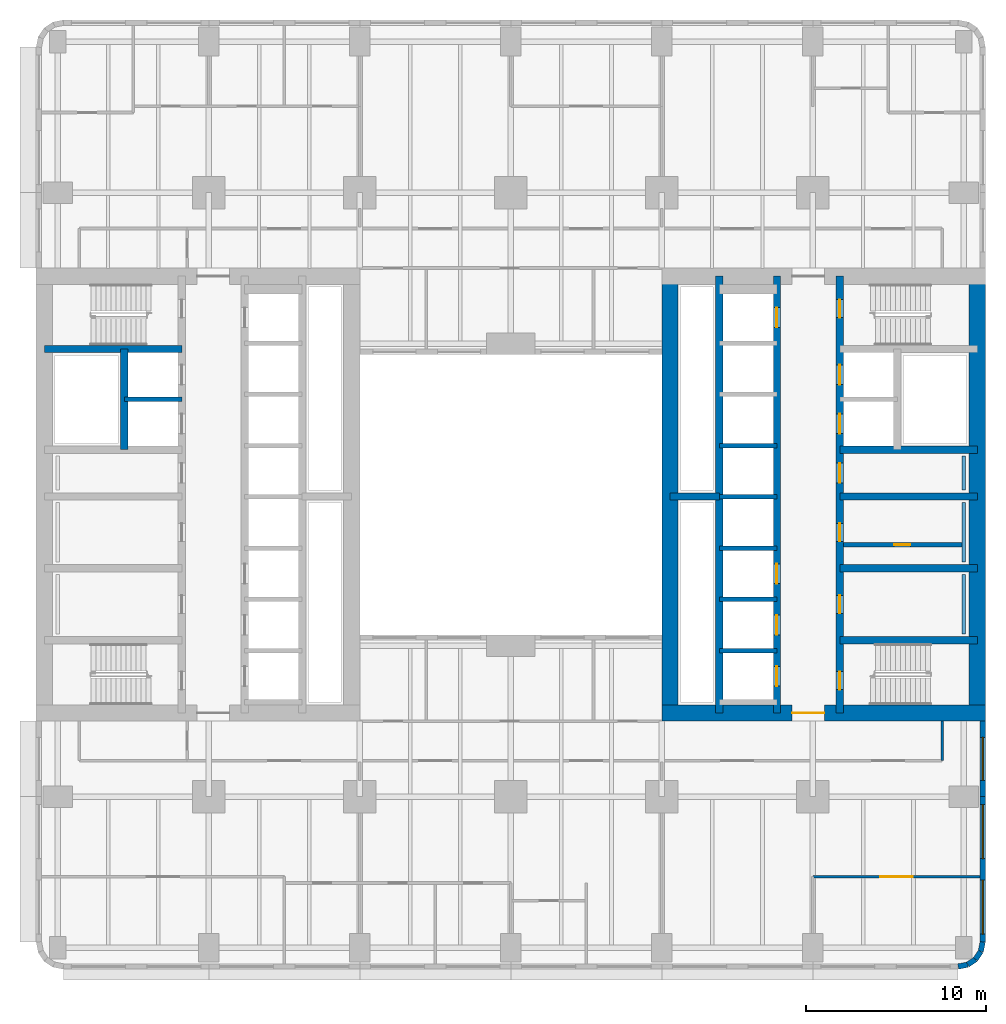
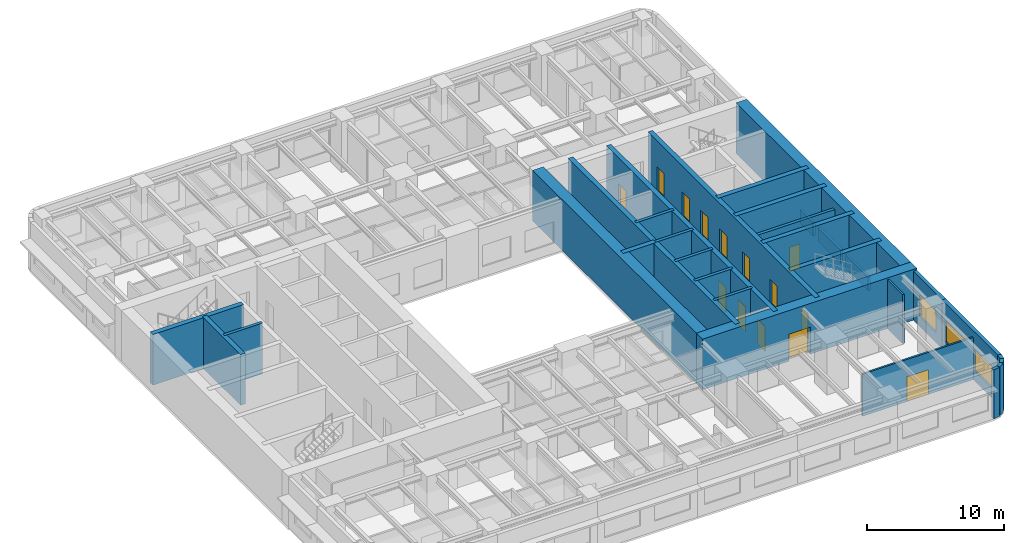
# One storey, part 5 of 12: 31 walls, 14 doors, 3 windows, 17 openings.
"""IFC4 building model written with IfcOpenShell, lengths in metres."""

from ifc_helpers import new_model, si_unit, direction, frame, frame_2d, origin, place, context, subcontext, project, spatial, rectangle, extrude, material, layer, layer_set, type_object, element, fill, save


model = new_model("IFC4")

# Units and contexts
model_context = context("Model", 3, precision=1e-05, world=origin(), true_north=direction((0.0, 1.0)))
body_context = subcontext(model_context, "Body", "Model", "MODEL_VIEW")
ifc_project = project(units=[si_unit("LENGTHUNIT", "METRE"), si_unit("AREAUNIT", "SQUARE_METRE"), si_unit("VOLUMEUNIT", "CUBIC_METRE"), si_unit("PLANEANGLEUNIT", "RADIAN"), si_unit("MASSUNIT", "GRAM", prefix="KILO")], contexts=[model_context])

# Site, building, storey
site_placement = place(None, origin())
site = spatial("IfcSite", under=ifc_project, at=site_placement, CompositionType="ELEMENT")
building_placement = place(site_placement, origin())
building = spatial("IfcBuilding", under=site, at=building_placement, Name="Claustro Exchange Tower", CompositionType="ELEMENT")
storey_placement = place(building_placement, frame((0.0, 0.0, 81.89990234375)))
storey = spatial("IfcBuildingStorey", under=building, at=storey_placement, Name="L18", CompositionType="ELEMENT", Elevation=81.89990234375)

# Wall, opening, door
ifc_material_1 = material(Name="Gypsum board on steel studs", Category="steel")
ifc_layer_1 = layer(ifc_material_1, 0.14990234375)
ifc_layer_set_1 = layer_set([ifc_layer_1], Name="Gypsum board on steel studs")
wall_type_1 = type_object("IfcWallType", Name="P1 150 plasterboard partition", PredefinedType="PARTITIONING", material=ifc_layer_set_1)
wall_1_placement = place(storey_placement, frame((42.0, 3.949951171875, 0.0), z_axis=(0.0, 0.0, 1.0), x_axis=(1.0, 0.0, 0.0)))
wall_1 = element("IfcWall", 1, at=wall_1_placement, inside=storey, type_object=wall_type_1, Name="Partition P1 L18", PredefinedType="PARTITIONING", context=body_context, shape_type="SweptSolid", body=[
    extrude(rectangle(XDim=9.302001953125, YDim=0.14990234375, at=frame_2d((4.65087890625, 0.0))), origin(), (0.0, 0.0, 1.0), 3.739990234375),
])
opening_1_placement = place(wall_1_placement, frame((3.75, 0.0, 0.0)))
opening_1 = element("IfcOpeningElement", 2, at=opening_1_placement, cuts=wall_1, Name="Opening D2", PredefinedType="OPENING", context=body_context, shape_type="SweptSolid", body=[
    extrude(rectangle(XDim=1.800048828125, YDim=2.199951171875, at=frame_2d((0.89990234375, 1.10009765625))), frame((0.0, 0.0849609375, 0.0), z_axis=(0.0, -1.0, 0.0), x_axis=(1.0, 0.0, 0.0)), (0.0, 0.0, 1.0), 0.169921875),
])
ifc_material_2 = material(Name="Timber door, oak veneer", Category="wood")
door_type_1 = type_object("IfcDoorType", Name="D2 1800 x 2200 double door", OperationType="DOUBLE_DOOR_SINGLE_SWING", PredefinedType="DOOR", material=ifc_material_2)
door_1_placement = place(opening_1_placement, frame((1.800048828125, 0.0, 0.0), z_axis=(0.0, 0.0, 1.0), x_axis=(-1.0, 0.0, 0.0)))
door_1 = element("IfcDoor", 3, at=door_1_placement, inside=storey, type_object=door_type_1, Name="Double door D2 L18", OperationType="DOUBLE_DOOR_SINGLE_SWING", OverallHeight=2.199951171875, OverallWidth=1.800048828125, PredefinedType="DOOR", context=body_context, shape_type="SweptSolid", body=[
    extrude(rectangle(XDim=1.800048828125, YDim=2.199951171875, at=frame_2d((0.89990234375, 1.10009765625))), frame((0.0, 0.02490234375, 0.0), z_axis=(0.0, -1.0, 0.0), x_axis=(1.0, 0.0, 0.0)), (0.0, 0.0, 1.0), 0.050048828125),
])
fill(opening_1, door_1)

# Wall
wall_2_placement = place(storey_placement, frame((49.199951171875, 10.39990234375, 0.0), z_axis=(0.0, 0.0, 1.0), x_axis=(0.0, 1.0, 0.0)))
element("IfcWall", 4, at=wall_2_placement, inside=storey, type_object=wall_type_1, Name="Partition P1 L18", PredefinedType="PARTITIONING", context=body_context, shape_type="SweptSolid", body=[
    extrude(rectangle(XDim=2.2021484375, YDim=0.14990234375, at=frame_2d((1.10107421875, 0.0))), origin(), (0.0, 0.0, 1.0), 4.340087890625),
])

# Wall, opening, door
ifc_material_3 = material(Name="Concrete blockwork, rendered", Category="masonry")
ifc_layer_2 = layer(ifc_material_3, 0.25)
ifc_layer_set_2 = layer_set([ifc_layer_2], Name="Concrete blockwork, rendered")
wall_type_2 = type_object("IfcWallType", Name="P4 250 blockwork wall", PredefinedType="PARTITIONING", material=ifc_layer_set_2)
wall_3_placement = place(storey_placement, frame((43.699951171875, 22.39990234375, 0.0), z_axis=(0.0, 0.0, 1.0), x_axis=(1.0, 0.0, 0.0)))
wall_3 = element("IfcWall", 5, at=wall_3_placement, inside=storey, type_object=wall_type_2, Name="Partition P4 L18", PredefinedType="PARTITIONING", context=body_context, shape_type="SweptSolid", body=[
    extrude(rectangle(XDim=6.60009765625, YDim=0.25, at=frame_2d((3.300048828125, 0.0))), origin(), (0.0, 0.0, 1.0), 4.300048828125),
])
opening_2_placement = place(wall_3_placement, frame((2.824951171875, 0.0, 0.0)))
opening_2 = element("IfcOpeningElement", 6, at=opening_2_placement, cuts=wall_3, Name="Opening D5", PredefinedType="OPENING", context=body_context, shape_type="SweptSolid", body=[
    extrude(rectangle(XDim=0.89990234375, YDim=2.199951171875, at=frame_2d((0.449951171875, 1.10009765625))), frame((0.0, 0.135009765625, 0.0), z_axis=(0.0, -1.0, 0.0), x_axis=(1.0, 0.0, 0.0)), (0.0, 0.0, 1.0), 0.27001953125),
])
ifc_material_4 = material(Name="Steel door, painted", Category="steel")
door_type_2 = type_object("IfcDoorType", Name="D5 900 x 2200 store door", OperationType="SINGLE_SWING_LEFT", PredefinedType="DOOR", material=ifc_material_4)
door_2_placement = place(opening_2_placement, frame((0.89990234375, 0.0, 0.0), z_axis=(0.0, 0.0, 1.0), x_axis=(-1.0, 0.0, 0.0)))
door_2 = element("IfcDoor", 7, at=door_2_placement, inside=storey, type_object=door_type_2, Name="Store door D5 L18", OperationType="SINGLE_SWING_LEFT", OverallHeight=2.199951171875, OverallWidth=0.89990234375, PredefinedType="DOOR", context=body_context, shape_type="SweptSolid", body=[
    extrude(rectangle(XDim=0.89990234375, YDim=2.199951171875, at=frame_2d((0.449951171875, 1.10009765625))), frame((0.0, 0.02490234375, 0.0), z_axis=(0.0, -1.0, 0.0), x_axis=(1.0, 0.0, 0.0)), (0.0, 0.0, 1.0), 0.050048828125),
])
fill(opening_2, door_2)

# Wall, opening, window
ifc_material_5 = material(Name="Concrete HA-40 (C40/50), precast, white cement, acid-etched", Category="concrete")
ifc_layer_3 = layer(ifc_material_5, 0.300048828125)
ifc_layer_set_3 = layer_set([ifc_layer_3], Name="Concrete HA-40 (C40/50), precast, white cement, acid-etched")
wall_type_3 = type_object("IfcWallType", Name="PC1 300 precast concrete pier panel", PredefinedType="SOLIDWALL", material=ifc_layer_set_3)
wall_4_placement = place(storey_placement, frame((51.449951171875, 12.60009765625, 0.0), z_axis=(0.0, 0.0, 1.0), x_axis=(0.0, -1.0, 0.0)))
wall_4 = element("IfcWall", 8, at=wall_4_placement, inside=storey, type_object=wall_type_3, Name="Precast pier panel PC1 L18", PredefinedType="SOLIDWALL", context=body_context, shape_type="SweptSolid", body=[
    extrude(rectangle(XDim=4.2001953125, YDim=0.300048828125, at=frame_2d((2.10009765625, 0.0))), origin(), (0.0, 0.0, 1.0), 4.340087890625),
])
opening_3_placement = place(wall_4_placement, frame((0.89990234375, 0.0, 0.89990234375)))
opening_3 = element("IfcOpeningElement", 9, at=opening_3_placement, cuts=wall_4, Name="Opening W2", PredefinedType="OPENING", context=body_context, shape_type="SweptSolid", body=[
    extrude(rectangle(XDim=2.39990234375, YDim=1.89990234375, at=frame_2d((1.199951171875, 0.949951171875))), frame((0.0, 0.159912109375, 0.0), z_axis=(0.0, -1.0, 0.0), x_axis=(1.0, 0.0, 0.0)), (0.0, 0.0, 1.0), 0.320068359375),
])
ifc_material_6 = material(Name="Aluminium frame, clear double glazing", Category="aluminium")
window_type_1 = type_object("IfcWindowType", Name="W2 2400 x 1900 window", PartitioningType="SINGLE_PANEL", PredefinedType="WINDOW", material=ifc_material_6)
window_1_placement = place(opening_3_placement, origin())
window_1 = element("IfcWindow", 10, at=window_1_placement, inside=storey, type_object=window_type_1, Name="Window W2 L18", OverallHeight=1.89990234375, OverallWidth=2.39990234375, PartitioningType="SINGLE_PANEL", PredefinedType="WINDOW", context=body_context, shape_type="SweptSolid", body=[
    extrude(rectangle(XDim=2.39990234375, YDim=1.89990234375, at=frame_2d((1.199951171875, 0.949951171875))), frame((0.0, 0.030029296875, 0.0), z_axis=(0.0, -1.0, 0.0), x_axis=(1.0, 0.0, 0.0)), (0.0, 0.0, 1.0), 0.06005859375),
])
fill(opening_3, window_1)

# Wall, openings, windows
wall_5_placement = place(storey_placement, frame((51.449951171875, 8.39990234375, 0.0), z_axis=(0.0, 0.0, 1.0), x_axis=(0.0, -1.0, 0.0)))
wall_5 = element("IfcWall", 11, at=wall_5_placement, inside=storey, type_object=wall_type_3, Name="Precast pier panel PC1 L18", PredefinedType="SOLIDWALL", context=body_context, shape_type="SweptSolid", body=[
    extrude(rectangle(XDim=8.085205078125, YDim=0.300048828125, at=frame_2d((4.04248046875, 0.0))), origin(), (0.0, 0.0, 1.0), 4.340087890625),
])
opening_4_placement = place(wall_5_placement, frame((0.442626953125, 0.0, 0.89990234375)))
opening_4 = element("IfcOpeningElement", 12, at=opening_4_placement, cuts=wall_5, Name="Opening W1", PredefinedType="OPENING", context=body_context, shape_type="SweptSolid", body=[
    extrude(rectangle(XDim=3.0, YDim=1.89990234375, at=frame_2d((1.5, 0.949951171875))), frame((0.0, 0.159912109375, 0.0), z_axis=(0.0, -1.0, 0.0), x_axis=(1.0, 0.0, 0.0)), (0.0, 0.0, 1.0), 0.320068359375),
])
opening_5_placement = place(wall_5_placement, frame((4.642578125, 0.0, 0.89990234375)))
opening_5 = element("IfcOpeningElement", 13, at=opening_5_placement, cuts=wall_5, Name="Opening W1", PredefinedType="OPENING", context=body_context, shape_type="SweptSolid", body=[
    extrude(rectangle(XDim=3.0, YDim=1.89990234375, at=frame_2d((1.5, 0.949951171875))), frame((0.0, 0.159912109375, 0.0), z_axis=(0.0, -1.0, 0.0), x_axis=(1.0, 0.0, 0.0)), (0.0, 0.0, 1.0), 0.320068359375),
])
ifc_material_7 = material(Name="Aluminium frame, clear double glazing", Category="aluminium")
window_type_2 = type_object("IfcWindowType", Name="W1 3000 x 1900 window", PartitioningType="SINGLE_PANEL", PredefinedType="WINDOW", material=ifc_material_7)
window_2_placement = place(opening_4_placement, origin())
window_2 = element("IfcWindow", 14, at=window_2_placement, inside=storey, type_object=window_type_2, Name="Window W1 L18", OverallHeight=1.89990234375, OverallWidth=3.0, PartitioningType="SINGLE_PANEL", PredefinedType="WINDOW", context=body_context, shape_type="SweptSolid", body=[
    extrude(rectangle(XDim=3.0, YDim=1.89990234375, at=frame_2d((1.5, 0.949951171875))), frame((0.0, 0.030029296875, 0.0), z_axis=(0.0, -1.0, 0.0), x_axis=(1.0, 0.0, 0.0)), (0.0, 0.0, 1.0), 0.06005859375),
])
fill(opening_4, window_2)
window_3_placement = place(opening_5_placement, origin())
window_3 = element("IfcWindow", 15, at=window_3_placement, inside=storey, type_object=window_type_2, Name="Window W1 L18", OverallHeight=1.89990234375, OverallWidth=3.0, PartitioningType="SINGLE_PANEL", PredefinedType="WINDOW", context=body_context, shape_type="SweptSolid", body=[
    extrude(rectangle(XDim=3.0, YDim=1.89990234375, at=frame_2d((1.5, 0.949951171875))), frame((0.0, 0.030029296875, 0.0), z_axis=(0.0, -1.0, 0.0), x_axis=(1.0, 0.0, 0.0)), (0.0, 0.0, 1.0), 0.06005859375),
])
fill(opening_5, window_3)

# Walls
wall_6_placement = place(storey_placement, frame((51.449951171875, 0.314697265625, 0.0), z_axis=(0.0, 0.0, 1.0), x_axis=(-0.195073962632, -0.980788534345, 0.0)))
element("IfcWall", 16, at=wall_6_placement, inside=storey, type_object=wall_type_3, Name="Precast pier panel PC1 L18", PredefinedType="SOLIDWALL", context=body_context, shape_type="SweptSolid", body=[
    extrude(rectangle(XDim=0.540771484375, YDim=0.300048828125, at=frame_2d((0.2705078125, 0.0))), origin(), (0.0, 0.0, 1.0), 4.340087890625),
])
for number, where, z_axis, x_axis, name in (
    (17, (51.344482421875, -0.215576171875, 0.0), (0.0, 0.0, 1.0), (-0.555557463938, -0.831478144188, 0.0), "Precast pier panel PC1 L18"),
    (18, (51.052490234375, -0.652587890625, 0.0), (0.0, 0.0, 1.0), (-0.831478144188, -0.555557463938, 0.0), "Precast pier panel PC1 L18"),
):
    element("IfcWall", number, at=place(storey_placement, frame(where, z_axis=z_axis, x_axis=x_axis)), inside=storey, type_object=wall_type_3, Name=name, PredefinedType="SOLIDWALL", context=body_context, shape_type="SweptSolid", body=[
        extrude(rectangle(XDim=0.525634765625, YDim=0.300048828125, at=frame_2d((0.2626953125, 0.0))), origin(), (0.0, 0.0, 1.0), 4.340087890625),
    ])
wall_7_placement = place(storey_placement, frame((50.615478515625, -0.944580078125, 0.0), z_axis=(0.0, 0.0, 1.0), x_axis=(-0.980788534345, -0.195073962632, 0.0)))
element("IfcWall", 19, at=wall_7_placement, inside=storey, type_object=wall_type_3, Name="Precast pier panel PC1 L18", PredefinedType="SOLIDWALL", context=body_context, shape_type="SweptSolid", body=[
    extrude(rectangle(XDim=0.540771484375, YDim=0.300048828125, at=frame_2d((0.2705078125, 0.0))), origin(), (0.0, 0.0, 1.0), 4.340087890625),
])
ifc_material_8 = material(Name="Gypsum board on steel studs, tiled", Category="steel")
ifc_layer_4 = layer(ifc_material_8, 0.199951171875)
ifc_layer_set_4 = layer_set([ifc_layer_4], Name="Gypsum board on steel studs, tiled")
wall_type_4 = type_object("IfcWallType", Name="PW1 200 WC duct wall", PredefinedType="PLUMBINGWALL", material=ifc_layer_set_4)
for number, where, z_axis, x_axis, name in (
    (20, (50.39990234375, 17.449951171875, 0.0), (0.0, 0.0, 1.0), (0.0, 1.0, 0.0), "WC duct wall PW1 L18"),
    (21, (50.39990234375, 21.449951171875, 0.0), (0.0, 0.0, 1.0), (0.0, 1.0, 0.0), "WC duct wall PW1 L18"),
):
    element("IfcWall", number, at=place(storey_placement, frame(where, z_axis=z_axis, x_axis=x_axis)), inside=storey, type_object=wall_type_4, Name=name, PredefinedType="PLUMBINGWALL", context=body_context, shape_type="SweptSolid", body=[
        extrude(rectangle(XDim=3.300048828125, YDim=0.199951171875, at=frame_2d((1.64990234375, 0.0))), origin(), (0.0, 0.0, 1.0), 1.2001953125),
    ])
wall_8_placement = place(storey_placement, frame((50.39990234375, 25.449951171875, 0.0), z_axis=(0.0, 0.0, 1.0), x_axis=(0.0, 1.0, 0.0)))
element("IfcWall", 22, at=wall_8_placement, inside=storey, type_object=wall_type_4, Name="WC duct wall PW1 L18", PredefinedType="PLUMBINGWALL", context=body_context, shape_type="SweptSolid", body=[
    extrude(rectangle(XDim=1.900146484375, YDim=0.199951171875, at=frame_2d((0.9501953125, 0.0))), origin(), (0.0, 0.0, 1.0), 1.2001953125),
])

# Wall, opening, door
ifc_material_9 = material(Name="Concrete HA-70 (C70/85)", Category="concrete")
ifc_layer_5 = layer(ifc_material_9, 0.89990234375)
ifc_layer_set_5 = layer_set([ifc_layer_5], Name="Concrete HA-70 (C70/85)")
wall_type_5 = type_object("IfcWallType", Name="SW1 900 core shear wall", PredefinedType="SHEAR", material=ifc_layer_set_5)
wall_9_placement = place(storey_placement, frame((33.60009765625, 13.050048828125, 0.0), z_axis=(0.0, 0.0, 1.0), x_axis=(1.0, 0.0, 0.0)))
wall_9 = element("IfcWall", 23, at=wall_9_placement, inside=storey, type_object=wall_type_5, Name="Core wall SW1 E core S face L18", PredefinedType="SHEAR", context=body_context, shape_type="SweptSolid", body=[
    extrude(rectangle(XDim=18.0, YDim=0.89990234375, at=frame_2d((9.0, 0.0))), origin(), (0.0, 0.0, 1.0), 4.5),
])
opening_6_placement = place(wall_9_placement, frame((7.25, 0.0, 0.0)))
opening_6 = element("IfcOpeningElement", 24, at=opening_6_placement, cuts=wall_9, Name="Opening D3", PredefinedType="OPENING", context=body_context, shape_type="SweptSolid", body=[
    extrude(rectangle(XDim=1.800048828125, YDim=2.39990234375, at=frame_2d((0.89990234375, 1.199951171875))), frame((0.0, 0.4599609375, 0.0), z_axis=(0.0, -1.0, 0.0), x_axis=(1.0, 0.0, 0.0)), (0.0, 0.0, 1.0), 0.919921875),
])
ifc_material_10 = material(Name="Steel fire door, painted", Category="steel")
door_type_3 = type_object("IfcDoorType", Name="D3 1800 x 2400 fire-rated lobby double door", OperationType="DOUBLE_DOOR_SINGLE_SWING", PredefinedType="DOOR", material=ifc_material_10)
door_3_placement = place(opening_6_placement, origin())
door_3 = element("IfcDoor", 25, at=door_3_placement, inside=storey, type_object=door_type_3, Name="Lift lobby door D3 L18", OperationType="DOUBLE_DOOR_SINGLE_SWING", OverallHeight=2.39990234375, OverallWidth=1.800048828125, PredefinedType="DOOR", context=body_context, shape_type="SweptSolid", body=[
    extrude(rectangle(XDim=1.800048828125, YDim=2.39990234375, at=frame_2d((0.89990234375, 1.199951171875))), frame((0.0, 0.02490234375, 0.0), z_axis=(0.0, -1.0, 0.0), x_axis=(1.0, 0.0, 0.0)), (0.0, 0.0, 1.0), 0.050048828125),
])
fill(opening_6, door_3)

# Walls
ifc_material_11 = material(Name="Concrete HA-70 (C70/85)", Category="concrete")
ifc_layer_6 = layer(ifc_material_11, 0.89990234375)
ifc_layer_set_6 = layer_set([ifc_layer_6], Name="Concrete HA-70 (C70/85)")
wall_type_6 = type_object("IfcWallType", Name="SW1X 900 exposed core shear wall, board-marked face", PredefinedType="SHEAR", material=ifc_layer_set_6)
for number, where, z_axis, x_axis, name in (
    (26, (34.050048828125, 13.050048828125, 0.0), (0.0, 0.0, 1.0), (0.0, 1.0, 0.0), "Core wall SW1X E core W face L18"),
    (27, (51.14990234375, 13.050048828125, 0.0), (0.0, 0.0, 1.0), (0.0, 1.0, 0.0), "Core wall SW1X E core E face L18"),
):
    element("IfcWall", number, at=place(storey_placement, frame(where, z_axis=z_axis, x_axis=x_axis)), inside=storey, type_object=wall_type_6, Name=name, PredefinedType="SHEAR", context=body_context, shape_type="SweptSolid", body=[
        extrude(rectangle(XDim=24.300048828125, YDim=0.89990234375, at=frame_2d((12.14990234375, 0.0))), origin(), (0.0, 0.0, 1.0), 4.5),
    ])
ifc_material_12 = material(Name="Concrete HA-50 (C50/60)", Category="concrete")
ifc_layer_7 = layer(ifc_material_12, 0.39990234375)
ifc_layer_set_7 = layer_set([ifc_layer_7], Name="Concrete HA-50 (C50/60)")
wall_type_7 = type_object("IfcWallType", Name="SW4 400 internal core wall", PredefinedType="SHEAR", material=ifc_layer_set_7)
wall_10_placement = place(storey_placement, frame((-0.75, 33.300048828125, 0.0), z_axis=(0.0, 0.0, 1.0), x_axis=(1.0, 0.0, 0.0)))
element("IfcWall", 28, at=wall_10_placement, inside=storey, type_object=wall_type_7, Name="Internal core wall SW4 W core L18", PredefinedType="SHEAR", context=body_context, shape_type="SweptSolid", body=[
    extrude(rectangle(XDim=7.64990234375, YDim=0.39990234375, at=frame_2d((3.824951171875, 0.0))), origin(), (0.0, 0.0, 1.0), 4.5),
])
wall_11_placement = place(storey_placement, frame((3.699951171875, 27.699951171875, 0.0), z_axis=(0.0, 0.0, 1.0), x_axis=(0.0, 1.0, 0.0)))
element("IfcWall", 29, at=wall_11_placement, inside=storey, type_object=wall_type_7, Name="Internal core wall SW4 W core L18", PredefinedType="SHEAR", context=body_context, shape_type="SweptSolid", body=[
    extrude(rectangle(XDim=5.60009765625, YDim=0.39990234375, at=frame_2d((2.800048828125, 0.0))), origin(), (0.0, 0.0, 1.0), 4.5),
])

# Wall, openings, doors
wall_12_placement = place(storey_placement, frame((43.5, 13.050048828125, 0.0), z_axis=(0.0, 0.0, 1.0), x_axis=(0.0, 1.0, 0.0)))
wall_12 = element("IfcWall", 30, at=wall_12_placement, inside=storey, type_object=wall_type_7, Name="Internal core wall SW4 E core L18", PredefinedType="SHEAR", context=body_context, shape_type="SweptSolid", body=[
    extrude(rectangle(XDim=24.300048828125, YDim=0.39990234375, at=frame_2d((12.14990234375, 0.0))), origin(), (0.0, 0.0, 1.0), 4.5),
])
opening_7_placement = place(wall_12_placement, frame((1.300048828125, 0.0, 0.0)))
opening_7 = element("IfcOpeningElement", 31, at=opening_7_placement, cuts=wall_12, Name="Opening D4", PredefinedType="OPENING", context=body_context, shape_type="SweptSolid", body=[
    extrude(rectangle(XDim=1.0, YDim=2.199951171875, at=frame_2d((0.5, 1.10009765625))), frame((0.0, 0.2099609375, 0.0), z_axis=(0.0, -1.0, 0.0), x_axis=(1.0, 0.0, 0.0)), (0.0, 0.0, 1.0), 0.419921875),
])
opening_8_placement = place(wall_12_placement, frame((22.0, 0.0, 0.0)))
opening_8 = element("IfcOpeningElement", 32, at=opening_8_placement, cuts=wall_12, Name="Opening D4", PredefinedType="OPENING", context=body_context, shape_type="SweptSolid", body=[
    extrude(rectangle(XDim=1.0, YDim=2.199951171875, at=frame_2d((0.5, 1.10009765625))), frame((0.0, 0.2099609375, 0.0), z_axis=(0.0, -1.0, 0.0), x_axis=(1.0, 0.0, 0.0)), (0.0, 0.0, 1.0), 0.419921875),
])
opening_9_placement = place(wall_12_placement, frame((5.550048828125, 0.0, 0.0)))
opening_9 = element("IfcOpeningElement", 33, at=opening_9_placement, cuts=wall_12, Name="Opening D1", PredefinedType="OPENING", context=body_context, shape_type="SweptSolid", body=[
    extrude(rectangle(XDim=1.0, YDim=2.199951171875, at=frame_2d((0.5, 1.10009765625))), frame((0.0, 0.2099609375, 0.0), z_axis=(0.0, -1.0, 0.0), x_axis=(1.0, 0.0, 0.0)), (0.0, 0.0, 1.0), 0.419921875),
])
opening_10_placement = place(wall_12_placement, frame((9.550048828125, 0.0, 0.0)))
opening_10 = element("IfcOpeningElement", 34, at=opening_10_placement, cuts=wall_12, Name="Opening D1", PredefinedType="OPENING", context=body_context, shape_type="SweptSolid", body=[
    extrude(rectangle(XDim=1.0, YDim=2.199951171875, at=frame_2d((0.5, 1.10009765625))), frame((0.0, 0.2099609375, 0.0), z_axis=(0.0, -1.0, 0.0), x_axis=(1.0, 0.0, 0.0)), (0.0, 0.0, 1.0), 0.419921875),
])
opening_11_placement = place(wall_12_placement, frame((12.800048828125, 0.0, 0.0)))
opening_11 = element("IfcOpeningElement", 35, at=opening_11_placement, cuts=wall_12, Name="Opening D10", PredefinedType="OPENING", context=body_context, shape_type="SweptSolid", body=[
    extrude(rectangle(XDim=1.10009765625, YDim=2.199951171875, at=frame_2d((0.550048828125, 1.10009765625))), frame((0.0, 0.2099609375, 0.0), z_axis=(0.0, -1.0, 0.0), x_axis=(1.0, 0.0, 0.0)), (0.0, 0.0, 1.0), 0.419921875),
])
opening_12_placement = place(wall_12_placement, frame((15.53759765625, 0.0, 0.0)))
opening_12 = element("IfcOpeningElement", 36, at=opening_12_placement, cuts=wall_12, Name="Opening LD", PredefinedType="OPENING", context=body_context, shape_type="SweptSolid", body=[
    extrude(rectangle(XDim=1.10009765625, YDim=2.199951171875, at=frame_2d((0.550048828125, 1.10009765625))), frame((0.0, 0.2099609375, 0.0), z_axis=(0.0, -1.0, 0.0), x_axis=(1.0, 0.0, 0.0)), (0.0, 0.0, 1.0), 0.419921875),
])
opening_13_placement = place(wall_12_placement, frame((18.262451171875, 0.0, 0.0)))
opening_13 = element("IfcOpeningElement", 37, at=opening_13_placement, cuts=wall_12, Name="Opening LD", PredefinedType="OPENING", context=body_context, shape_type="SweptSolid", body=[
    extrude(rectangle(XDim=1.10009765625, YDim=2.199951171875, at=frame_2d((0.550048828125, 1.10009765625))), frame((0.0, 0.2099609375, 0.0), z_axis=(0.0, -1.0, 0.0), x_axis=(1.0, 0.0, 0.0)), (0.0, 0.0, 1.0), 0.419921875),
])
ifc_material_13 = material(Name="Timber door, oak veneer", Category="wood")
door_type_4 = type_object("IfcDoorType", Name="D1 1000 x 2200 single door", OperationType="SINGLE_SWING_LEFT", PredefinedType="DOOR", material=ifc_material_13)
door_4_placement = place(opening_9_placement, frame((1.0, 0.0, 0.0), z_axis=(0.0, 0.0, 1.0), x_axis=(-1.0, 0.0, 0.0)))
door_4 = element("IfcDoor", 38, at=door_4_placement, inside=storey, type_object=door_type_4, Name="Door D1 L18", OperationType="SINGLE_SWING_LEFT", OverallHeight=2.199951171875, OverallWidth=1.0, PredefinedType="DOOR", context=body_context, shape_type="SweptSolid", body=[
    extrude(rectangle(XDim=1.0, YDim=2.199951171875, at=frame_2d((0.5, 1.10009765625))), frame((0.0, 0.02490234375, 0.0), z_axis=(0.0, -1.0, 0.0), x_axis=(1.0, 0.0, 0.0)), (0.0, 0.0, 1.0), 0.050048828125),
])
fill(opening_9, door_4)
door_5_placement = place(opening_10_placement, frame((1.0, 0.0, 0.0), z_axis=(0.0, 0.0, 1.0), x_axis=(-1.0, 0.0, 0.0)))
door_5 = element("IfcDoor", 39, at=door_5_placement, inside=storey, type_object=door_type_4, Name="Door D1 L18", OperationType="SINGLE_SWING_RIGHT", OverallHeight=2.199951171875, OverallWidth=1.0, PredefinedType="DOOR", context=body_context, shape_type="SweptSolid", body=[
    extrude(rectangle(XDim=1.0, YDim=2.199951171875, at=frame_2d((0.5, 1.10009765625))), frame((0.0, 0.02490234375, 0.0), z_axis=(0.0, -1.0, 0.0), x_axis=(1.0, 0.0, 0.0)), (0.0, 0.0, 1.0), 0.050048828125),
])
fill(opening_10, door_5)
ifc_material_14 = material(Name="Timber door, oak veneer", Category="wood")
door_type_5 = type_object("IfcDoorType", Name="D10 1100 x 2200 accessible WC door", OperationType="SINGLE_SWING_LEFT", PredefinedType="DOOR", material=ifc_material_14)
door_6_placement = place(opening_11_placement, origin())
door_6 = element("IfcDoor", 40, at=door_6_placement, inside=storey, type_object=door_type_5, Name="Accessible WC door D10 L18", OperationType="SINGLE_SWING_RIGHT", OverallHeight=2.199951171875, OverallWidth=1.10009765625, PredefinedType="DOOR", context=body_context, shape_type="SweptSolid", body=[
    extrude(rectangle(XDim=1.10009765625, YDim=2.199951171875, at=frame_2d((0.550048828125, 1.10009765625))), frame((0.0, 0.02490234375, 0.0), z_axis=(0.0, -1.0, 0.0), x_axis=(1.0, 0.0, 0.0)), (0.0, 0.0, 1.0), 0.050048828125),
])
fill(opening_11, door_6)
ifc_material_15 = material(Name="Steel fire door, painted", Category="steel")
door_type_6 = type_object("IfcDoorType", Name="D4 1000 x 2200 fire-rated stair door", OperationType="SINGLE_SWING_LEFT", PredefinedType="DOOR", material=ifc_material_15)
door_7_placement = place(opening_7_placement, frame((1.0, 0.0, 0.0), z_axis=(0.0, 0.0, 1.0), x_axis=(-1.0, 0.0, 0.0)))
door_7 = element("IfcDoor", 41, at=door_7_placement, inside=storey, type_object=door_type_6, Name="Stair door D4 L18", OperationType="SINGLE_SWING_RIGHT", OverallHeight=2.199951171875, OverallWidth=1.0, PredefinedType="DOOR", context=body_context, shape_type="SweptSolid", body=[
    extrude(rectangle(XDim=1.0, YDim=2.199951171875, at=frame_2d((0.5, 1.10009765625))), frame((0.0, 0.02490234375, 0.0), z_axis=(0.0, -1.0, 0.0), x_axis=(1.0, 0.0, 0.0)), (0.0, 0.0, 1.0), 0.050048828125),
])
fill(opening_7, door_7)
door_8_placement = place(opening_8_placement, frame((1.0, 0.0, 0.0), z_axis=(0.0, 0.0, 1.0), x_axis=(-1.0, 0.0, 0.0)))
door_8 = element("IfcDoor", 42, at=door_8_placement, inside=storey, type_object=door_type_6, Name="Stair door D4 L18", OperationType="SINGLE_SWING_LEFT", OverallHeight=2.199951171875, OverallWidth=1.0, PredefinedType="DOOR", context=body_context, shape_type="SweptSolid", body=[
    extrude(rectangle(XDim=1.0, YDim=2.199951171875, at=frame_2d((0.5, 1.10009765625))), frame((0.0, 0.02490234375, 0.0), z_axis=(0.0, -1.0, 0.0), x_axis=(1.0, 0.0, 0.0)), (0.0, 0.0, 1.0), 0.050048828125),
])
fill(opening_8, door_8)
ifc_material_16 = material(Name="Stainless steel sliding door", Category="steel")
door_type_7 = type_object("IfcDoorType", Name="LD 1100 x 2200 lift landing door", OperationType="DOUBLE_DOOR_SLIDING", PredefinedType="DOOR", material=ifc_material_16)
door_9_placement = place(opening_12_placement, origin())
door_9 = element("IfcDoor", 43, at=door_9_placement, inside=storey, type_object=door_type_7, Name="Lift landing door LEE1 LD L18", OperationType="DOUBLE_DOOR_SLIDING", OverallHeight=2.199951171875, OverallWidth=1.10009765625, PredefinedType="DOOR", context=body_context, shape_type="SweptSolid", body=[
    extrude(rectangle(XDim=1.10009765625, YDim=2.199951171875, at=frame_2d((0.550048828125, 1.10009765625))), frame((0.0, 0.02490234375, 0.0), z_axis=(0.0, -1.0, 0.0), x_axis=(1.0, 0.0, 0.0)), (0.0, 0.0, 1.0), 0.050048828125),
])
fill(opening_12, door_9)
door_10_placement = place(opening_13_placement, origin())
door_10 = element("IfcDoor", 44, at=door_10_placement, inside=storey, type_object=door_type_7, Name="Lift landing door LEE2 LD L18", OperationType="DOUBLE_DOOR_SLIDING", OverallHeight=2.199951171875, OverallWidth=1.10009765625, PredefinedType="DOOR", context=body_context, shape_type="SweptSolid", body=[
    extrude(rectangle(XDim=1.10009765625, YDim=2.199951171875, at=frame_2d((0.550048828125, 1.10009765625))), frame((0.0, 0.02490234375, 0.0), z_axis=(0.0, -1.0, 0.0), x_axis=(1.0, 0.0, 0.0)), (0.0, 0.0, 1.0), 0.050048828125),
])
fill(opening_13, door_10)

wall_13_placement = place(storey_placement, frame((40.0, 13.050048828125, 0.0), z_axis=(0.0, 0.0, 1.0), x_axis=(0.0, 1.0, 0.0)))
wall_13 = element("IfcWall", 45, at=wall_13_placement, inside=storey, type_object=wall_type_7, Name="Internal core wall SW4 E core L18", PredefinedType="SHEAR", context=body_context, shape_type="SweptSolid", body=[
    extrude(rectangle(XDim=24.300048828125, YDim=0.39990234375, at=frame_2d((12.14990234375, 0.0))), origin(), (0.0, 0.0, 1.0), 4.5),
])
opening_14_placement = place(wall_13_placement, frame((1.5, 0.0, 0.0)))
opening_14 = element("IfcOpeningElement", 46, at=opening_14_placement, cuts=wall_13, Name="Opening LD", PredefinedType="OPENING", context=body_context, shape_type="SweptSolid", body=[
    extrude(rectangle(XDim=1.10009765625, YDim=2.199951171875, at=frame_2d((0.550048828125, 1.10009765625))), frame((0.0, 0.2099609375, 0.0), z_axis=(0.0, -1.0, 0.0), x_axis=(1.0, 0.0, 0.0)), (0.0, 0.0, 1.0), 0.419921875),
])
opening_15_placement = place(wall_13_placement, frame((4.35009765625, 0.0, 0.0)))
opening_15 = element("IfcOpeningElement", 47, at=opening_15_placement, cuts=wall_13, Name="Opening LD", PredefinedType="OPENING", context=body_context, shape_type="SweptSolid", body=[
    extrude(rectangle(XDim=1.10009765625, YDim=2.199951171875, at=frame_2d((0.550048828125, 1.10009765625))), frame((0.0, 0.2099609375, 0.0), z_axis=(0.0, -1.0, 0.0), x_axis=(1.0, 0.0, 0.0)), (0.0, 0.0, 1.0), 0.419921875),
])
opening_16_placement = place(wall_13_placement, frame((7.199951171875, 0.0, 0.0)))
opening_16 = element("IfcOpeningElement", 48, at=opening_16_placement, cuts=wall_13, Name="Opening LD", PredefinedType="OPENING", context=body_context, shape_type="SweptSolid", body=[
    extrude(rectangle(XDim=1.10009765625, YDim=2.199951171875, at=frame_2d((0.550048828125, 1.10009765625))), frame((0.0, 0.2099609375, 0.0), z_axis=(0.0, -1.0, 0.0), x_axis=(1.0, 0.0, 0.0)), (0.0, 0.0, 1.0), 0.419921875),
])
opening_17_placement = place(wall_13_placement, frame((21.449951171875, 0.0, 0.0)))
opening_17 = element("IfcOpeningElement", 49, at=opening_17_placement, cuts=wall_13, Name="Opening LD", PredefinedType="OPENING", context=body_context, shape_type="SweptSolid", body=[
    extrude(rectangle(XDim=1.10009765625, YDim=2.199951171875, at=frame_2d((0.550048828125, 1.10009765625))), frame((0.0, 0.2099609375, 0.0), z_axis=(0.0, -1.0, 0.0), x_axis=(1.0, 0.0, 0.0)), (0.0, 0.0, 1.0), 0.419921875),
])
door_11_placement = place(opening_14_placement, origin())
door_11 = element("IfcDoor", 50, at=door_11_placement, inside=storey, type_object=door_type_7, Name="Lift landing door LLE1 LD L18", OperationType="DOUBLE_DOOR_SLIDING", OverallHeight=2.199951171875, OverallWidth=1.10009765625, PredefinedType="DOOR", context=body_context, shape_type="SweptSolid", body=[
    extrude(rectangle(XDim=1.10009765625, YDim=2.199951171875, at=frame_2d((0.550048828125, 1.10009765625))), frame((0.0, 0.02490234375, 0.0), z_axis=(0.0, -1.0, 0.0), x_axis=(1.0, 0.0, 0.0)), (0.0, 0.0, 1.0), 0.050048828125),
])
fill(opening_14, door_11)
door_12_placement = place(opening_15_placement, origin())
door_12 = element("IfcDoor", 51, at=door_12_placement, inside=storey, type_object=door_type_7, Name="Lift landing door LLE2 LD L18", OperationType="DOUBLE_DOOR_SLIDING", OverallHeight=2.199951171875, OverallWidth=1.10009765625, PredefinedType="DOOR", context=body_context, shape_type="SweptSolid", body=[
    extrude(rectangle(XDim=1.10009765625, YDim=2.199951171875, at=frame_2d((0.550048828125, 1.10009765625))), frame((0.0, 0.02490234375, 0.0), z_axis=(0.0, -1.0, 0.0), x_axis=(1.0, 0.0, 0.0)), (0.0, 0.0, 1.0), 0.050048828125),
])
fill(opening_15, door_12)
door_13_placement = place(opening_16_placement, origin())
door_13 = element("IfcDoor", 52, at=door_13_placement, inside=storey, type_object=door_type_7, Name="Lift landing door LLE3 LD L18", OperationType="DOUBLE_DOOR_SLIDING", OverallHeight=2.199951171875, OverallWidth=1.10009765625, PredefinedType="DOOR", context=body_context, shape_type="SweptSolid", body=[
    extrude(rectangle(XDim=1.10009765625, YDim=2.199951171875, at=frame_2d((0.550048828125, 1.10009765625))), frame((0.0, 0.02490234375, 0.0), z_axis=(0.0, -1.0, 0.0), x_axis=(1.0, 0.0, 0.0)), (0.0, 0.0, 1.0), 0.050048828125),
])
fill(opening_16, door_13)
door_14_placement = place(opening_17_placement, origin())
door_14 = element("IfcDoor", 53, at=door_14_placement, inside=storey, type_object=door_type_7, Name="Lift landing door LSE1 LD L18", OperationType="DOUBLE_DOOR_SLIDING", OverallHeight=2.199951171875, OverallWidth=1.10009765625, PredefinedType="DOOR", context=body_context, shape_type="SweptSolid", body=[
    extrude(rectangle(XDim=1.10009765625, YDim=2.199951171875, at=frame_2d((0.550048828125, 1.10009765625))), frame((0.0, 0.02490234375, 0.0), z_axis=(0.0, -1.0, 0.0), x_axis=(1.0, 0.0, 0.0)), (0.0, 0.0, 1.0), 0.050048828125),
])
fill(opening_17, door_14)

# Walls
wall_14_placement = place(storey_placement, frame((36.800048828125, 13.050048828125, 0.0), z_axis=(0.0, 0.0, 1.0), x_axis=(0.0, 1.0, 0.0)))
element("IfcWall", 54, at=wall_14_placement, inside=storey, type_object=wall_type_7, Name="Internal core wall SW4 E core L18", PredefinedType="SHEAR", context=body_context, shape_type="SweptSolid", body=[
    extrude(rectangle(XDim=24.300048828125, YDim=0.39990234375, at=frame_2d((12.14990234375, 0.0))), origin(), (0.0, 0.0, 1.0), 4.5),
])
for number, where, z_axis, x_axis, name in (
    (55, (51.14990234375, 17.10009765625, 0.0), (0.0, 0.0, 1.0), (-1.0, 0.0, 0.0), "Internal core wall SW4 E core L18"),
    (56, (51.14990234375, 21.10009765625, 0.0), (0.0, 0.0, 1.0), (-1.0, 0.0, 0.0), "Internal core wall SW4 E core L18"),
    (57, (51.14990234375, 25.10009765625, 0.0), (0.0, 0.0, 1.0), (-1.0, 0.0, 0.0), "Internal core wall SW4 E core L18"),
    (58, (51.14990234375, 27.699951171875, 0.0), (0.0, 0.0, 1.0), (-1.0, 0.0, 0.0), "Internal core wall SW4 E core L18"),
):
    element("IfcWall", number, at=place(storey_placement, frame(where, z_axis=z_axis, x_axis=x_axis)), inside=storey, type_object=wall_type_7, Name=name, PredefinedType="SHEAR", context=body_context, shape_type="SweptSolid", body=[
        extrude(rectangle(XDim=7.64990234375, YDim=0.39990234375, at=frame_2d((3.824951171875, 0.0))), origin(), (0.0, 0.0, 1.0), 4.5),
    ])
wall_15_placement = place(storey_placement, frame((36.800048828125, 25.10009765625, 0.0), z_axis=(0.0, 0.0, 1.0), x_axis=(-1.0, 0.0, 0.0)))
element("IfcWall", 59, at=wall_15_placement, inside=storey, type_object=wall_type_7, Name="Internal core wall SW4 E core L18", PredefinedType="SHEAR", context=body_context, shape_type="SweptSolid", body=[
    extrude(rectangle(XDim=2.75, YDim=0.39990234375, at=frame_2d((1.375, 0.0))), origin(), (0.0, 0.0, 1.0), 4.5),
])
ifc_material_17 = material(Name="Concrete HA-50 (C50/60)", Category="concrete")
ifc_layer_8 = layer(ifc_material_17, 0.25)
ifc_layer_set_8 = layer_set([ifc_layer_8], Name="Concrete HA-50 (C50/60)")
wall_type_8 = type_object("IfcWallType", Name="SW5 250 lift shaft divider wall", PredefinedType="SHEAR", material=ifc_layer_set_8)
for number, where, z_axis, x_axis, name in (
    (60, (3.699951171875, 30.5, 0.0), (0.0, 0.0, 1.0), (1.0, 0.0, 0.0), "Lift shaft wall W core L18"),
    (61, (40.0, 16.52490234375, 0.0), (0.0, 0.0, 1.0), (-1.0, 0.0, 0.0), "Lift shaft wall E core L18"),
    (62, (40.0, 19.375, 0.0), (0.0, 0.0, 1.0), (-1.0, 0.0, 0.0), "Lift shaft wall E core L18"),
    (63, (40.0, 22.22509765625, 0.0), (0.0, 0.0, 1.0), (-1.0, 0.0, 0.0), "Lift shaft wall E core L18"),
    (64, (40.0, 25.074951171875, 0.0), (0.0, 0.0, 1.0), (-1.0, 0.0, 0.0), "Lift shaft wall E core L18"),
    (65, (40.0, 27.925048828125, 0.0), (0.0, 0.0, 1.0), (-1.0, 0.0, 0.0), "Lift shaft wall E core L18"),
):
    element("IfcWall", number, at=place(storey_placement, frame(where, z_axis=z_axis, x_axis=x_axis)), inside=storey, type_object=wall_type_8, Name=name, PredefinedType="SHEAR", context=body_context, shape_type="SweptSolid", body=[
        extrude(rectangle(XDim=3.199951171875, YDim=0.25, at=frame_2d((1.60009765625, 0.0))), origin(), (0.0, 0.0, 1.0), 4.5),
    ])

save(model, "model.ifc")
